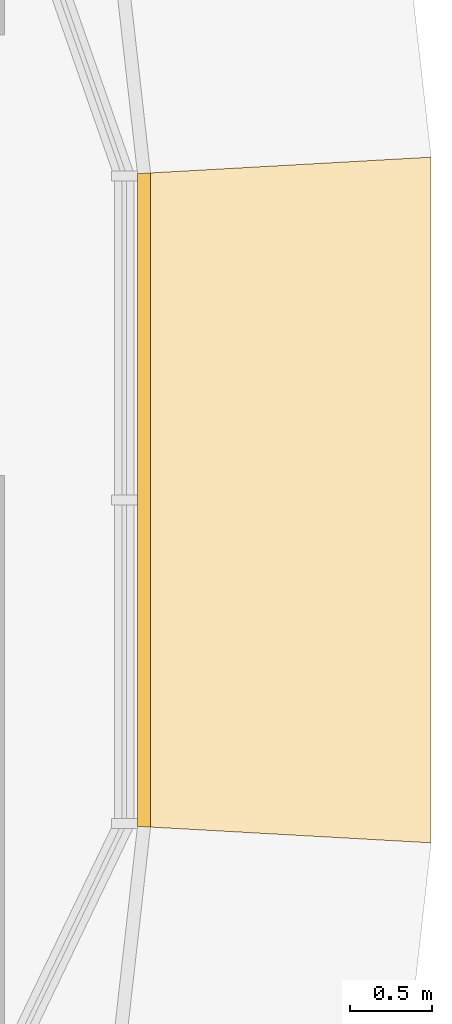
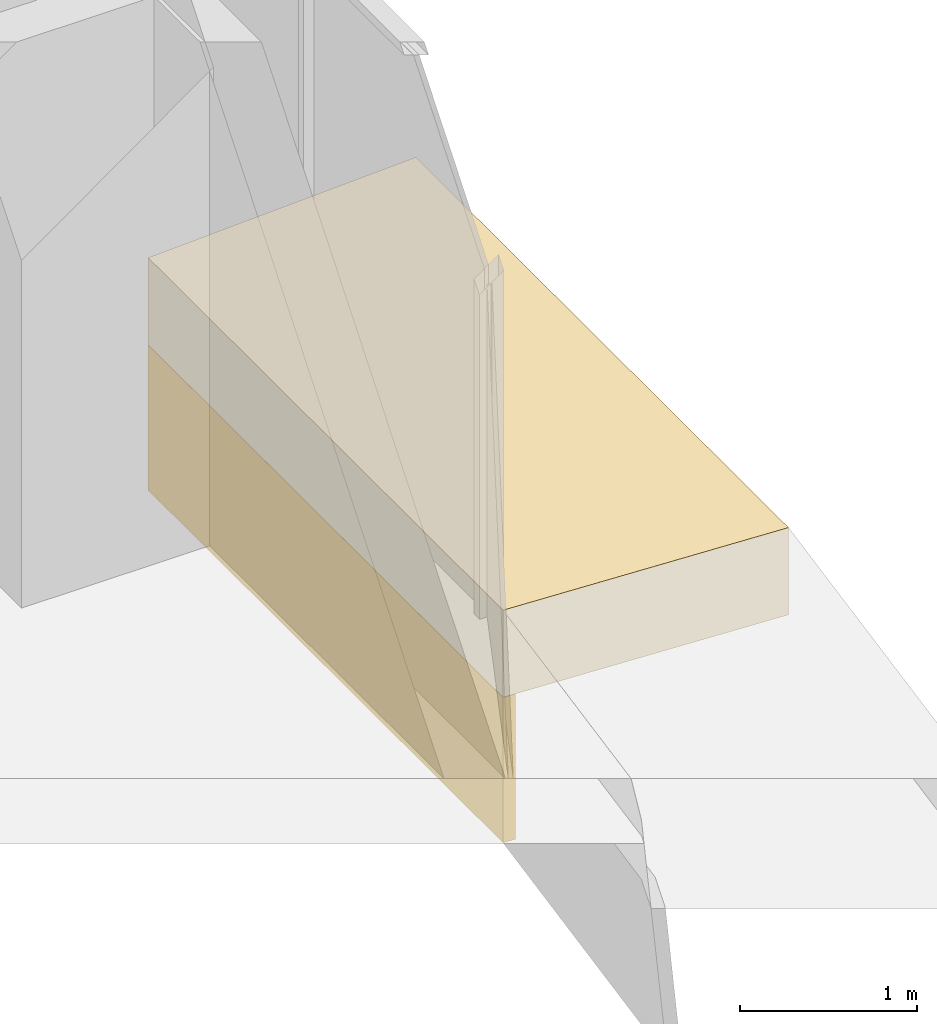
# One storey, part 25 of 25: 2 coverings.
"""IFC4 building model written with IfcOpenShell, lengths in metres."""

from ifc_helpers import new_model, si_unit, direction, frame, origin, place, context, subcontext, project, spatial, polyline, outline, extrude, material, layer, layer_set, type_object, element, save


model = new_model("IFC4")

# Units and contexts
model_context = context("Model", 3, precision=1e-05, world=origin(), true_north=direction((0.0, 1.0)))
body_context = subcontext(model_context, "Body", "Model", "MODEL_VIEW")
ifc_project = project(units=[si_unit("LENGTHUNIT", "METRE"), si_unit("AREAUNIT", "SQUARE_METRE"), si_unit("VOLUMEUNIT", "CUBIC_METRE"), si_unit("PLANEANGLEUNIT", "RADIAN"), si_unit("MASSUNIT", "GRAM", prefix="KILO")], contexts=[model_context])

# Site, building, storey
site_placement = place(None, origin())
site = spatial("IfcSite", under=ifc_project, at=site_placement, CompositionType="ELEMENT")
building_placement = place(site_placement, origin())
building = spatial("IfcBuilding", under=site, at=building_placement, Name="Ogive Portal Towers", CompositionType="ELEMENT")
storey_placement = place(building_placement, frame((0.0, 0.0, 124.10009765625)))
storey = spatial("IfcBuildingStorey", under=building, at=storey_placement, Name="L30", CompositionType="ELEMENT", Elevation=124.10009765625)

# Coverings
ifc_material = material(Name="Limestone cladding on lightweight block wall", Category="masonry")
ifc_layer_1 = layer(ifc_material, 0.080078125)
ifc_layer_set_1 = layer_set([ifc_layer_1], Name="STONE SPANDREL 80")
covering_type_1 = type_object("IfcCoveringType", Name="STONE SPANDREL 80", PredefinedType="CLADDING", material=ifc_layer_set_1)
covering_1_placement = place(storey_placement, frame((0.0, 0.0, -1.60009765625)))
element("IfcCovering", 1, at=covering_1_placement, inside=storey, type_object=covering_type_1, Name="Stone spandrel A1-F07", PredefinedType="CLADDING", context=body_context, shape_type="SweptSolid", body=[
    extrude(outline(polyline([(96.215087890625, 28.5), (96.215087890625, 32.5), (96.294921875, 32.50439453125), (96.294921875, 28.49560546875), (96.215087890625, 28.5)])), origin(), (0.0, 0.0, 1.0), 1.0),
])
ifc_layer_2 = layer(ifc_material, 0.60009765625)
ifc_layer_set_2 = layer_set([ifc_layer_2], Name="SUNSHADE LIP 600")
covering_type_2 = type_object("IfcCoveringType", Name="SUNSHADE LIP 600", PredefinedType="CLADDING", material=ifc_layer_set_2)
covering_2_placement = place(storey_placement, frame((0.0, 0.0, -0.60009765625)))
element("IfcCovering", 2, at=covering_2_placement, inside=storey, type_object=covering_type_2, Name="Sunshade lip A1-F07", PredefinedType="CLADDING", context=body_context, shape_type="SweptSolid", body=[
    extrude(outline(polyline([(96.215087890625, 28.5), (96.215087890625, 32.5), (98.014892578125, 32.60107421875), (98.014892578125, 28.39892578125), (96.215087890625, 28.5)])), origin(), (0.0, 0.0, 1.0), 0.60009765625),
])

save(model, "model.ifc")
